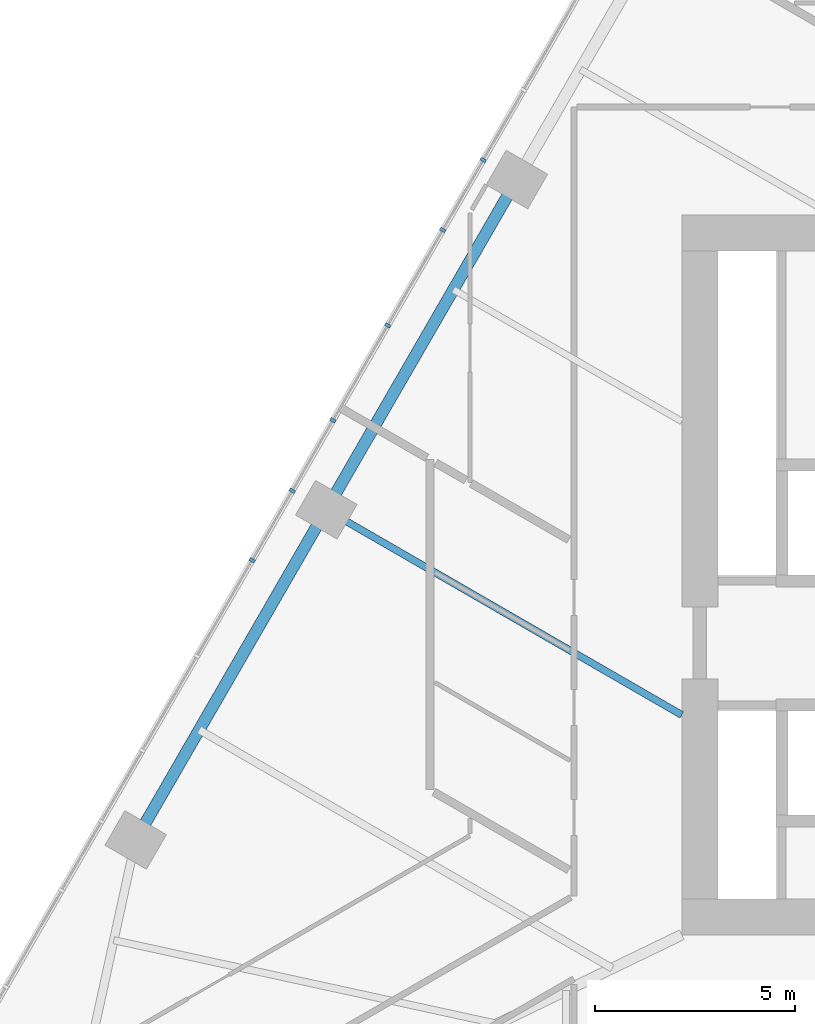
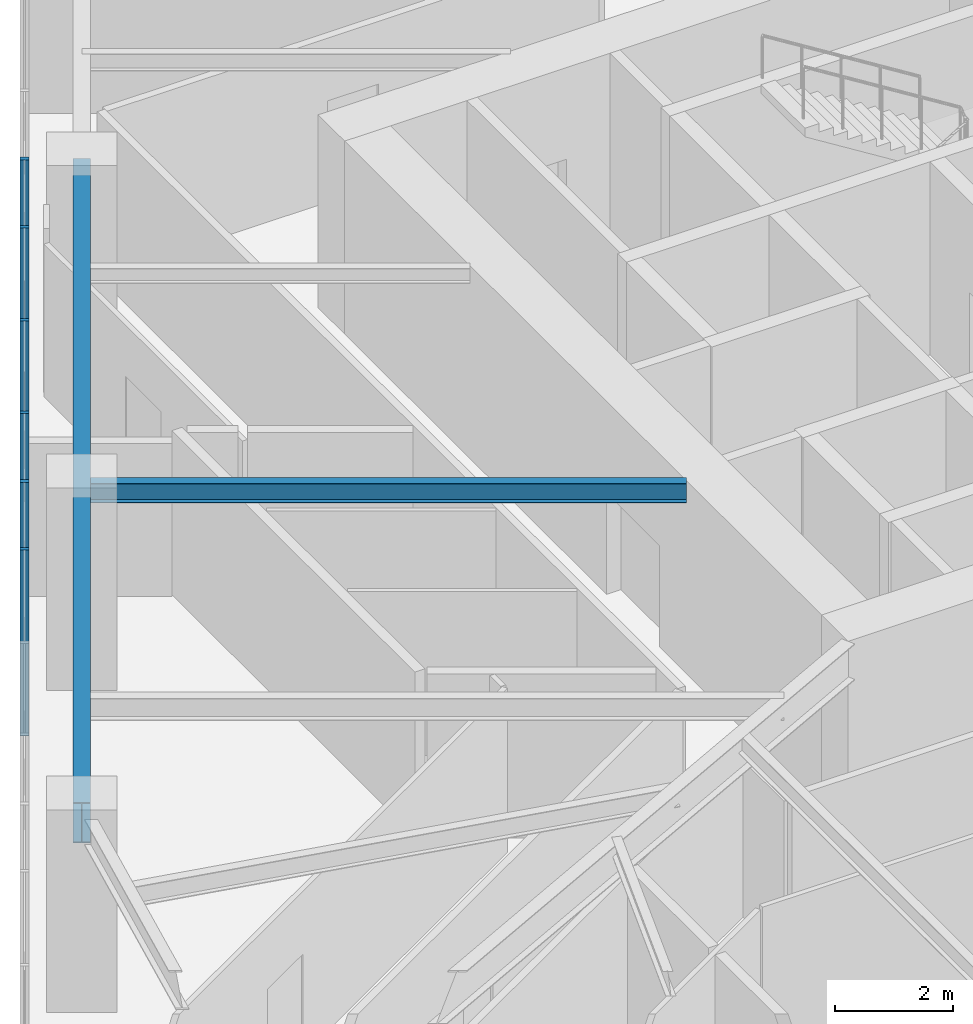
# One storey, part 3 of 25: 6 members, 2 beams, 1 element without a shape of its own.
"""IFC4 building model written with IfcOpenShell, lengths in metres."""

import ifcopenshell
import ifcopenshell.guid

model = None  # the IFC model being written
_history = None  # IfcOwnerHistory: only IFC2X3 demands one
_inside = {}  # id of a spatial element -> (the spatial element, [elements in it])
_under = {}  # id of a project, library or spatial element -> (it, [spatial elements below it])
_declared = {}  # id of a project -> (the project, [libraries it declares])
_typed = {}  # id of a type object -> (the type object, [elements of that type])
_made_of = {}  # id of a material, layer set ... -> (it, [elements and type objects made of it])


def new_model(schema):
    """Start an empty IFC model of exactly this schema.

    Asked for "IFC4X3", IfcOpenShell would pick the latest addendum, in which some entities
    have other attributes; the version numbers below select the first issue.
    IFC2X3 requires an IfcOwnerHistory on every rooted entity: one is made here for all.
    """
    global model, _history
    if schema == "IFC4X3":
        model = ifcopenshell.file(schema_version=(4, 3, 0, 0))
    else:
        model = ifcopenshell.file(schema=schema)
    _inside.clear()
    _under.clear()
    _declared.clear()
    _typed.clear()
    _made_of.clear()
    _history = None
    if model.schema == "IFC2X3":
        org = make("IfcOrganization", Name="unknown")
        user = make(
            "IfcPersonAndOrganization",
            ThePerson=make("IfcPerson", FamilyName="unknown"),
            TheOrganization=org,
        )
        app = make(
            "IfcApplication",
            ApplicationDeveloper=org,
            Version="unknown",
            ApplicationFullName="unknown",
            ApplicationIdentifier="unknown",
        )
        _history = make(
            "IfcOwnerHistory",
            OwningUser=user,
            OwningApplication=app,
            ChangeAction="ADDED",
            CreationDate=0,
        )
    return model


def make(cls, **values):
    """One entity of the class cls with the attributes given. An attribute that is None is left unset."""
    return model.create_entity(
        cls, **{name: value for name, value in values.items() if value is not None}
    )


def rooted(cls, **values):
    """An entity with a GlobalId (a new one), such as an element, a storey or a relation."""
    return make(cls, GlobalId=ifcopenshell.guid.new(), OwnerHistory=_history, **values)


def si_unit(unit_type, name, prefix=None):
    """IfcSIUnit, for example si_unit("LENGTHUNIT", "METRE", prefix="MILLI")."""
    return make("IfcSIUnit", UnitType=unit_type, Prefix=prefix, Name=name)


def assignment(units):
    """IfcUnitAssignment: the units of a project."""
    return None if units is None else make("IfcUnitAssignment", Units=units)


def point(xyz):
    """IfcCartesianPoint."""
    return None if xyz is None else make("IfcCartesianPoint", Coordinates=xyz)


def direction(xyz):
    """IfcDirection."""
    return None if xyz is None else make("IfcDirection", DirectionRatios=xyz)


def frame(location, z_axis=None, x_axis=None):
    """IfcAxis2Placement3D, a coordinate frame: its origin and axes. An axis left out is left unset."""
    return make(
        "IfcAxis2Placement3D",
        Location=point(location),
        Axis=direction(z_axis),
        RefDirection=direction(x_axis),
    )


def frame_2d(location, x_axis=None):
    """IfcAxis2Placement2D, a coordinate frame in the plane: its origin and x axis."""
    return make(
        "IfcAxis2Placement2D", Location=point(location), RefDirection=direction(x_axis)
    )


def origin():
    """The frame at (0, 0, 0) with its axes left unset."""
    return frame((0.0, 0.0, 0.0))


def origin_2d():
    """The frame at (0, 0) in the plane with its x axis left unset."""
    return frame_2d((0.0, 0.0))


def place(relative_to, where):
    """IfcLocalPlacement: puts the frame where relative to a parent placement (None: the world)."""
    return make(
        "IfcLocalPlacement", PlacementRelTo=relative_to, RelativePlacement=where
    )


def context(
    kind, dimensions, precision=None, world=None, true_north=None, identifier=None
):
    """IfcGeometricRepresentationContext, for example the 3D "Model" context."""
    return make(
        "IfcGeometricRepresentationContext",
        ContextIdentifier=identifier,
        ContextType=kind,
        CoordinateSpaceDimension=dimensions,
        Precision=precision,
        WorldCoordinateSystem=world,
        TrueNorth=true_north,
    )


def subcontext(parent, identifier, kind, view, scale=None):
    """IfcGeometricRepresentationSubContext, for example "Body" below "Model"."""
    return make(
        "IfcGeometricRepresentationSubContext",
        ContextIdentifier=identifier,
        ContextType=kind,
        ParentContext=parent,
        TargetScale=scale,
        TargetView=view,
    )


def project(units=None, contexts=None):
    """IfcProject with its units and contexts."""
    return rooted(
        "IfcProject",
        Name="project",
        RepresentationContexts=contexts,
        UnitsInContext=assignment(units),
    )


def spatial(cls, under=None, at=None, **own):
    """A site, building, storey or space (cls), placed at a placement, below another one or the project."""
    s = rooted(cls, ObjectPlacement=at, **own)
    if under is not None:
        _under.setdefault(under.id(), (under, []))[1].append(s)
    return s


def profile(cls, at=None, kind="AREA", **sizes):
    """A parametric profile (cls). Its sizes go by their IFC names, for example OverallWidth=200.0."""
    return make(cls, ProfileType=kind, Position=at, **sizes)


def rectangle(**sizes):
    """IfcRectangleProfileDef."""
    return profile("IfcRectangleProfileDef", **sizes)


def i_section(**sizes):
    """IfcIShapeProfileDef."""
    return profile("IfcIShapeProfileDef", **sizes)


def extrude(swept, where, along, depth):
    """IfcExtrudedAreaSolid: the profile swept, set in the frame where, extruded along a direction by depth."""
    return make(
        "IfcExtrudedAreaSolid",
        SweptArea=swept,
        Position=where,
        ExtrudedDirection=direction(along),
        Depth=depth,
    )


def shape(context_of_items, identifier, shape_type, items):
    """IfcShapeRepresentation: the items that make up one representation, for example the "Body"."""
    return make(
        "IfcShapeRepresentation",
        ContextOfItems=context_of_items,
        RepresentationIdentifier=identifier,
        RepresentationType=shape_type,
        Items=items,
    )


def material(Name=None, Category=None):
    """IfcMaterial."""
    return make("IfcMaterial", Name=Name, Category=Category)


def layer(
    of_material, thickness, ventilated=None, Name=None, Category=None, Priority=None
):
    """IfcMaterialLayer: one layer of a wall or slab, of a material (None: an air gap)."""
    return make(
        "IfcMaterialLayer",
        Material=of_material,
        LayerThickness=thickness,
        IsVentilated=ventilated,
        Name=Name,
        Category=Category,
        Priority=Priority,
    )


def layer_set(layers, Name=None):
    """IfcMaterialLayerSet."""
    return make("IfcMaterialLayerSet", MaterialLayers=layers, LayerSetName=Name)


def material_profile(
    of_material, cross_section, Name=None, Category=None, Priority=None
):
    """IfcMaterialProfile: a cross section and its material."""
    return make(
        "IfcMaterialProfile",
        Name=Name,
        Material=of_material,
        Profile=cross_section,
        Priority=Priority,
        Category=Category,
    )


def profile_set(profiles, Name=None, composite=None):
    """IfcMaterialProfileSet."""
    return make(
        "IfcMaterialProfileSet",
        Name=Name,
        MaterialProfiles=profiles,
        CompositeProfile=composite,
    )


def made_of(thing, what):
    """Note that an element or type object is made of a material, layer set ...; save() writes the relation."""
    if what is not None:
        _made_of.setdefault(what.id(), (what, []))[1].append(thing)
    return thing


def type_object(cls, material=None, **own):
    """A type object (cls), such as IfcWallType, which elements share."""
    return made_of(rooted(cls, **own), material)


def element(
    cls,
    number,
    at=None,
    inside=None,
    cuts=None,
    type_object=None,
    material=None,
    context=None,
    identifier="Body",
    shape_type=None,
    held_by="IfcProductDefinitionShape",
    body=None,
    shapes=None,
    **own,
):
    """One element of the class cls, such as IfcWall. Its Tag is "e" and its number.

    at: its placement. inside: the storey or other place that contains it. cuts: it is an
    opening in that element (IfcRelVoidsElement). A single representation is given by context,
    identifier, shape_type and body (its items); several are given by shapes. held_by: the class
    of the entity that holds the representations. save() writes the other relations.
    """
    e = rooted(cls, Tag="e%d" % number, ObjectPlacement=at, **own)
    if body is not None:
        shapes = [shape(context, identifier, shape_type, body)]
    if shapes is not None:
        e.Representation = make(held_by, Representations=shapes)
    if inside is not None:
        _inside.setdefault(inside.id(), (inside, []))[1].append(e)
    if cuts is not None:
        rooted(
            "IfcRelVoidsElement", RelatingBuildingElement=cuts, RelatedOpeningElement=e
        )
    if type_object is not None:
        _typed.setdefault(type_object.id(), (type_object, []))[1].append(e)
    return made_of(e, material)


def aggregate(whole, parts):
    """IfcRelAggregates: a whole, such as a stair, and the parts it consists of."""
    return rooted("IfcRelAggregates", RelatingObject=whole, RelatedObjects=parts)


def save(model, path):
    """Write the relations noted so far, then the file.

    IfcRelAggregates (storeys below a building ...), IfcRelContainedInSpatialStructure (elements
    in a storey), IfcRelDefinesByType, IfcRelAssociatesMaterial and IfcRelDeclares: one each for
    every whole, place, type object, material and project.
    """
    for whole, parts in _under.values():
        aggregate(whole, parts)
    for where, things in _inside.values():
        rooted(
            "IfcRelContainedInSpatialStructure",
            RelatedElements=things,
            RelatingStructure=where,
        )
    for kind, things in _typed.values():
        rooted("IfcRelDefinesByType", RelatedObjects=things, RelatingType=kind)
    for what, things in _made_of.values():
        rooted("IfcRelAssociatesMaterial", RelatedObjects=things, RelatingMaterial=what)
    for by, libraries in _declared.values():
        rooted("IfcRelDeclares", RelatingContext=by, RelatedDefinitions=libraries)
    model.write(path)


model = new_model("IFC4")

# Units and contexts
model_context = context("Model", 3, precision=1e-05, world=origin(), true_north=direction((0.0, 1.0)))
body_context = subcontext(model_context, "Body", "Model", "MODEL_VIEW")
ifc_project = project(units=[si_unit("LENGTHUNIT", "METRE"), si_unit("AREAUNIT", "SQUARE_METRE"), si_unit("VOLUMEUNIT", "CUBIC_METRE"), si_unit("PLANEANGLEUNIT", "RADIAN"), si_unit("MASSUNIT", "GRAM", prefix="KILO")], contexts=[model_context])

# Site, building, storey
site_placement = place(None, origin())
site = spatial("IfcSite", under=ifc_project, at=site_placement, CompositionType="ELEMENT")
building_placement = place(site_placement, origin())
building = spatial("IfcBuilding", under=site, at=building_placement, Name="Firuza Gate Tower and Library", CompositionType="ELEMENT")
storey_placement = place(building_placement, frame((0.0, 0.0, 61.0)))
storey = spatial("IfcBuildingStorey", under=building, at=storey_placement, Name="L13", CompositionType="ELEMENT", Elevation=61.0)

# Curtain wall, members
ifc_material_1 = material(Name="Aluminium 6063-T6", Category="aluminium")
ifc_layer = layer(ifc_material_1, 0.14990234375)
ifc_layer_set = layer_set([ifc_layer], Name="Unitised curtain wall, offices")
curtain_wall_type = type_object("IfcCurtainWallType", Name="Unitised curtain wall, offices", PredefinedType="NOTDEFINED", material=ifc_layer_set)
curtain_wall_placement = place(storey_placement, origin())
curtain_wall = element("IfcCurtainWall", 1, at=curtain_wall_placement, inside=storey, type_object=curtain_wall_type, Name="CW1 L13 W face", PredefinedType="NOTDEFINED")
ifc_material_2 = material(Name="Aluminium 6063-T6", Category="aluminium")
ifc_material_profile_1 = material_profile(ifc_material_2, rectangle(XDim=0.14990234375, YDim=0.080078125, at=origin_2d()))
ifc_profile_set_1 = profile_set([ifc_material_profile_1], Name="Aluminium 6063-T6")
member_type = type_object("IfcMemberType", Name="Curtain wall mullion 80x150", PredefinedType="MULLION", material=ifc_profile_set_1)
member_1_placement = place(storey_placement, frame((57.033447265625, 85.373046875, 0.14990234375), z_axis=(0.0, 0.0, 1.0), x_axis=(0.866025403784, -0.5, 0.0)))
member_1 = element("IfcMember", 2, at=member_1_placement, type_object=member_type, Name="Mullion", PredefinedType="MULLION", context=body_context, shape_type="SweptSolid", body=[
    extrude(rectangle(XDim=0.14990234375, YDim=0.080078125, at=origin_2d()), origin(), (0.0, 0.0, 1.0), 3.85009765625),
])
member_2_placement = place(storey_placement, frame((54.646240234375, 81.23828125, 0.14990234375), z_axis=(0.0, 0.0, 1.0), x_axis=(0.866025403784, -0.5, 0.0)))
member_2 = element("IfcMember", 3, at=member_2_placement, type_object=member_type, Name="Mullion", PredefinedType="MULLION", context=body_context, shape_type="SweptSolid", body=[
    extrude(rectangle(XDim=0.14990234375, YDim=0.080078125, at=origin_2d()), origin(), (0.0, 0.0, 1.0), 3.85009765625),
])
member_3_placement = place(storey_placement, frame((52.259033203125, 77.103515625, 0.14990234375), z_axis=(0.0, 0.0, 1.0), x_axis=(0.866025403784, -0.5, 0.0)))
member_3 = element("IfcMember", 4, at=member_3_placement, type_object=member_type, Name="Mullion", PredefinedType="MULLION", context=body_context, shape_type="SweptSolid", body=[
    extrude(rectangle(XDim=0.14990234375, YDim=0.080078125, at=origin_2d()), origin(), (0.0, 0.0, 1.0), 3.85009765625),
])
member_4_placement = place(storey_placement, frame((56.022705078125, 83.62255859375, 0.14990234375), z_axis=(0.0, 0.0, 1.0), x_axis=(0.866025403784, -0.5, 0.0)))
member_4 = element("IfcMember", 5, at=member_4_placement, type_object=member_type, Name="Mullion", PredefinedType="MULLION", context=body_context, shape_type="SweptSolid", body=[
    extrude(rectangle(XDim=0.14990234375, YDim=0.080078125, at=origin_2d()), origin(), (0.0, 0.0, 1.0), 3.85009765625),
])
member_5_placement = place(storey_placement, frame((53.27685546875, 78.866455078125, 0.14990234375), z_axis=(0.0, 0.0, 1.0), x_axis=(0.866025403784, -0.5, 0.0)))
member_5 = element("IfcMember", 6, at=member_5_placement, type_object=member_type, Name="Mullion", PredefinedType="MULLION", context=body_context, shape_type="SweptSolid", body=[
    extrude(rectangle(XDim=0.14990234375, YDim=0.080078125, at=origin_2d()), origin(), (0.0, 0.0, 1.0), 3.85009765625),
])
member_6_placement = place(storey_placement, frame((51.25537109375, 75.365478515625, 0.14990234375), z_axis=(0.0, 0.0, 1.0), x_axis=(0.866025403784, -0.5, 0.0)))
member_6 = element("IfcMember", 7, at=member_6_placement, type_object=member_type, Name="Mullion", PredefinedType="MULLION", context=body_context, shape_type="SweptSolid", body=[
    extrude(rectangle(XDim=0.14990234375, YDim=0.080078125, at=origin_2d()), origin(), (0.0, 0.0, 1.0), 3.85009765625),
])
aggregate(curtain_wall, [member_1, member_2, member_3, member_4, member_5, member_6])

# Beams
ifc_material_3 = material(Name="Steel S355", Category="steel")
ifc_material_profile_2 = material_profile(ifc_material_3, i_section(OverallWidth=0.177978515625, OverallDepth=0.406982421875, WebThickness=0.0078125, FlangeThickness=0.0126953125, at=origin_2d()))
ifc_profile_set_2 = profile_set([ifc_material_profile_2], Name="Steel S355")
beam_type_1 = type_object("IfcBeamType", Name="W410x60 Floor beam", PredefinedType="JOIST", material=ifc_profile_set_2)
beam_1_placement = place(storey_placement, frame((53.110595703125, 76.62841796875, 3.79638671875), z_axis=(0.866024380585, -0.50000177223, 0.0), x_axis=(0.50000177223, 0.866024380585, 0.0)))
element("IfcBeam", 8, at=beam_1_placement, inside=storey, type_object=beam_type_1, Name="Floor beam L13 s84", PredefinedType="JOIST", context=body_context, shape_type="SweptSolid", body=[
    extrude(i_section(OverallWidth=0.177978515625, OverallDepth=0.406982421875, WebThickness=0.0078125, FlangeThickness=0.0126953125, at=origin_2d()), origin(), (0.0, 0.0, 1.0), 10.2646484375),
])
ifc_material_4 = material(Name="Steel S355", Category="steel")
ifc_material_profile_3 = material_profile(ifc_material_4, i_section(OverallWidth=0.2919921875, OverallDepth=0.8349609375, WebThickness=0.013916015625, FlangeThickness=0.018798828125, at=origin_2d()))
ifc_profile_set_3 = profile_set([ifc_material_profile_3], Name="Steel S355")
beam_type_2 = type_object("IfcBeamType", Name="W840x176 Edge beam", PredefinedType="SPANDREL", material=ifc_profile_set_3)
beam_2_placement = place(storey_placement, frame((57.877685546875, 84.885498046875, 3.58251953125), z_axis=(-0.499998781384, -0.866026107351, 0.0), x_axis=(0.866026107351, -0.499998781384, 0.0)))
element("IfcBeam", 9, at=beam_2_placement, inside=storey, type_object=beam_type_2, Name="Edge beam L13 e82", PredefinedType="SPANDREL", context=body_context, shape_type="SweptSolid", body=[
    extrude(i_section(OverallWidth=0.2919921875, OverallDepth=0.8349609375, WebThickness=0.013916015625, FlangeThickness=0.018798828125, at=origin_2d()), origin(), (0.0, 0.0, 1.0), 19.06884765625),
])

save(model, "model.ifc")
